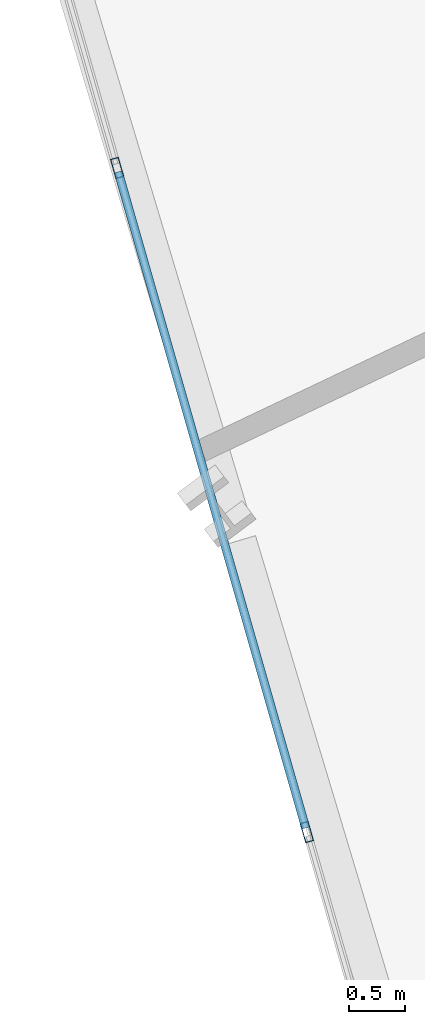
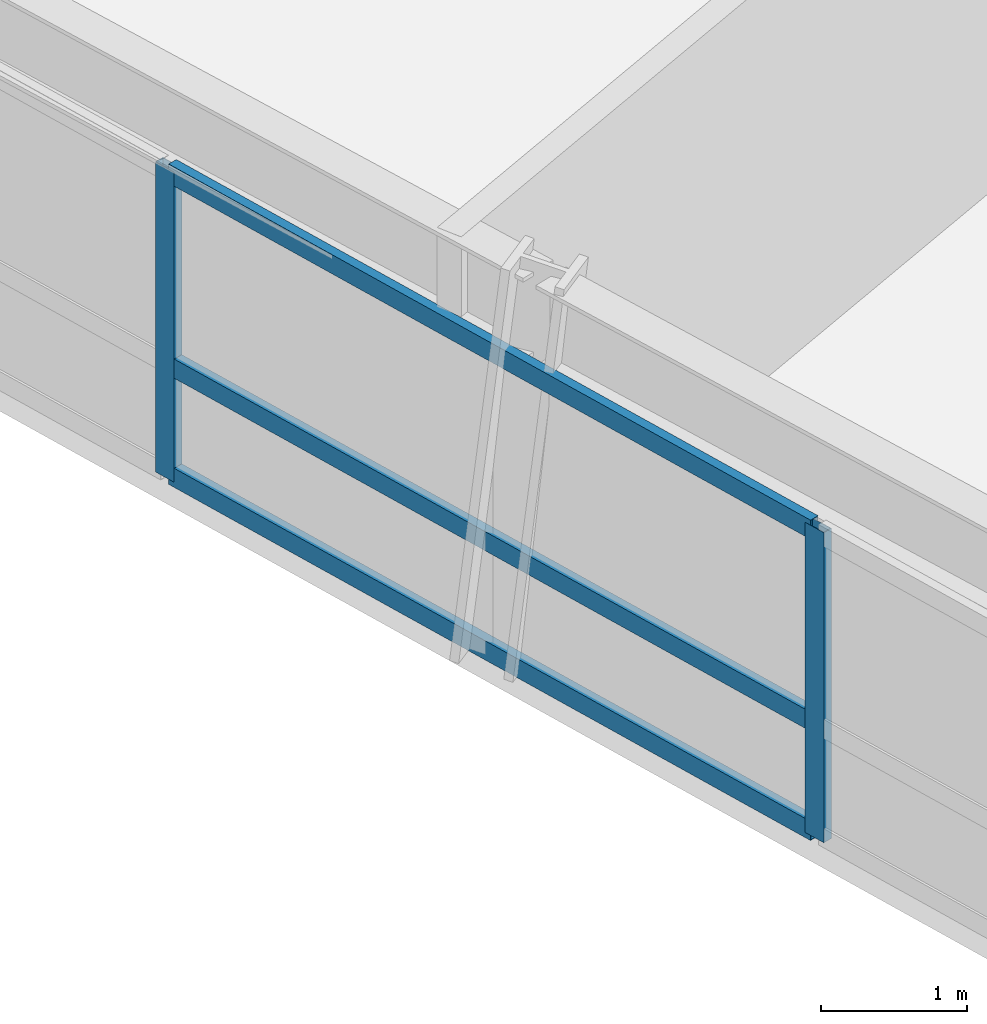
# One storey, part 4 of 21: 5 members, 1 element without a shape of its own.
"""IFC4 building model written with IfcOpenShell, lengths in metres."""

from ifc_helpers import new_model, si_unit, direction, frame, origin, origin_2d, place, context, subcontext, project, spatial, hollow_rectangle, extrude, source, transform, mapped, material, material_profile, profile_set, type_object, element, aggregate, save


model = new_model("IFC4")

# Units and contexts
model_context = context("Model", 3, precision=1e-05, world=origin(), true_north=direction((0.0, 1.0)))
body_context = subcontext(model_context, "Body", "Model", "MODEL_VIEW")
ifc_project = project(units=[si_unit("LENGTHUNIT", "METRE"), si_unit("AREAUNIT", "SQUARE_METRE"), si_unit("VOLUMEUNIT", "CUBIC_METRE"), si_unit("PLANEANGLEUNIT", "RADIAN"), si_unit("MASSUNIT", "GRAM", prefix="KILO")], contexts=[model_context])

# Site, building, storey
site_placement = place(None, origin())
site = spatial("IfcSite", under=ifc_project, at=site_placement, CompositionType="ELEMENT")
building_placement = place(site_placement, origin())
building = spatial("IfcBuilding", under=site, at=building_placement, Name="Olszyna Solenne Hotel", CompositionType="ELEMENT")
storey_placement = place(building_placement, frame((0.0, 0.0, 47.050048828125)))
storey = spatial("IfcBuildingStorey", under=building, at=storey_placement, Name="L11", CompositionType="ELEMENT", Elevation=47.050048828125)

# Curtain wall, members
ifc_material = material(Name="Anodised bronze aluminium", Category="aluminium")
curtain_wall_type = type_object("IfcCurtainWallType", Name="CW-SYS-2", PredefinedType="NOTDEFINED", material=ifc_material)
curtain_wall_placement = place(storey_placement, origin())
curtain_wall = element("IfcCurtainWall", 1, at=curtain_wall_placement, inside=storey, type_object=curtain_wall_type, Name="Unitised curtain wall CW-SYS-2 CW-L11-01", PredefinedType="NOTDEFINED")
ifc_material_profile_1 = material_profile(ifc_material, hollow_rectangle(XDim=0.074951171875, YDim=0.179931640625, WallThickness=0.00439453125, at=origin_2d()), Name="MULL 180x75x4.5", Category="load-bearing")
ifc_profile_set_1 = profile_set([ifc_material_profile_1], Name="Anodised bronze aluminium")
member_type_1 = type_object("IfcMemberType", Name="CW-M2", PredefinedType="MULLION", material=ifc_profile_set_1)
shared_shape_1 = source(origin(), body_context, "Body", "SweptSolid", [
    extrude(hollow_rectangle(XDim=0.074951171875, YDim=0.179931640625, WallThickness=0.00439453125, at=origin_2d()), origin(), (0.0, 0.0, 1.0), 2.592041015625),
])
member_1_placement = place(storey_placement, frame((17.05908203125, 19.550048828125, 0.0), z_axis=(0.0, 0.0, 1.0), x_axis=(0.961508499917, 0.274775189179, 0.0)))
member_1 = element("IfcMember", 2, at=member_1_placement, type_object=member_type_1, Name="Curtain-wall mullion CW-M2 CM-L11-01-02", PredefinedType="MULLION", context=body_context, shape_type="MappedRepresentation", body=[
    mapped(shared_shape_1, transform((0.0, 0.0, 0.0), x_axis=(1.0, 0.0, 0.0), y_axis=(0.0, 1.0, 0.0), z_axis=(0.0, 0.0, 1.0), scale=1.0)),
])
member_2_placement = place(storey_placement, frame((18.759521484375, 13.599365234375, 0.0), z_axis=(0.0, 0.0, 1.0), x_axis=(0.961508499917, 0.274775189179, 0.0)))
member_2 = element("IfcMember", 3, at=member_2_placement, type_object=member_type_1, Name="Curtain-wall mullion CW-M2 CM-L11-01-03", PredefinedType="MULLION", context=body_context, shape_type="MappedRepresentation", body=[
    mapped(shared_shape_1, transform((0.0, 0.0, 0.0), x_axis=(1.0, 0.0, 0.0), y_axis=(0.0, 1.0, 0.0), z_axis=(0.0, 0.0, 1.0), scale=1.0)),
])
ifc_material_profile_2 = material_profile(ifc_material, hollow_rectangle(XDim=0.074951171875, YDim=0.159912109375, WallThickness=0.00390625, at=origin_2d()), Name="TRAN 160x75x4", Category="load-bearing")
ifc_profile_set_2 = profile_set([ifc_material_profile_2], Name="Anodised bronze aluminium")
member_type_2 = type_object("IfcMemberType", Name="CW-T1", PredefinedType="USERDEFINED", material=ifc_profile_set_2)
shared_shape_2 = source(origin(), body_context, "Body", "SweptSolid", [
    extrude(hollow_rectangle(XDim=0.074951171875, YDim=0.159912109375, WallThickness=0.00390625, at=origin_2d()), origin(), (0.0, 0.0, 1.0), 6.114013671875),
])
member_3_placement = place(storey_placement, frame((17.0693359375, 19.51416015625, 0.037353515625), z_axis=(0.274768593298, -0.961510384831, 0.0), x_axis=(0.961510384831, 0.274768593298, 0.0)))
member_3 = element("IfcMember", 4, at=member_3_placement, type_object=member_type_2, Name="Curtain-wall transom CW-T1 CT-L11-01-04", ObjectType="TRANSOM", PredefinedType="USERDEFINED", context=body_context, shape_type="MappedRepresentation", body=[
    mapped(shared_shape_2, transform((0.0, 0.0, 0.0), x_axis=(1.0, 0.0, 0.0), y_axis=(0.0, 1.0, 0.0), z_axis=(0.0, 0.0, 1.0), scale=1.0)),
])
member_4_placement = place(storey_placement, frame((17.0693359375, 19.51416015625, 0.949951171875), z_axis=(0.274768593298, -0.961510384831, 0.0), x_axis=(0.961510384831, 0.274768593298, 0.0)))
member_4 = element("IfcMember", 5, at=member_4_placement, type_object=member_type_2, Name="Curtain-wall transom CW-T1 CT-L11-01-05", ObjectType="TRANSOM", PredefinedType="USERDEFINED", context=body_context, shape_type="MappedRepresentation", body=[
    mapped(shared_shape_2, transform((0.0, 0.0, 0.0), x_axis=(1.0, 0.0, 0.0), y_axis=(0.0, 1.0, 0.0), z_axis=(0.0, 0.0, 1.0), scale=1.0)),
])
member_5_placement = place(storey_placement, frame((17.0693359375, 19.51416015625, 2.554443359375), z_axis=(0.274768593298, -0.961510384831, 0.0), x_axis=(0.961510384831, 0.274768593298, 0.0)))
member_5 = element("IfcMember", 6, at=member_5_placement, type_object=member_type_2, Name="Curtain-wall transom CW-T1 CT-L11-01-06", ObjectType="TRANSOM", PredefinedType="USERDEFINED", context=body_context, shape_type="MappedRepresentation", body=[
    mapped(shared_shape_2, transform((0.0, 0.0, 0.0), x_axis=(1.0, 0.0, 0.0), y_axis=(0.0, 1.0, 0.0), z_axis=(0.0, 0.0, 1.0), scale=1.0)),
])
aggregate(curtain_wall, [member_1, member_2, member_3, member_4, member_5])

save(model, "model.ifc")
